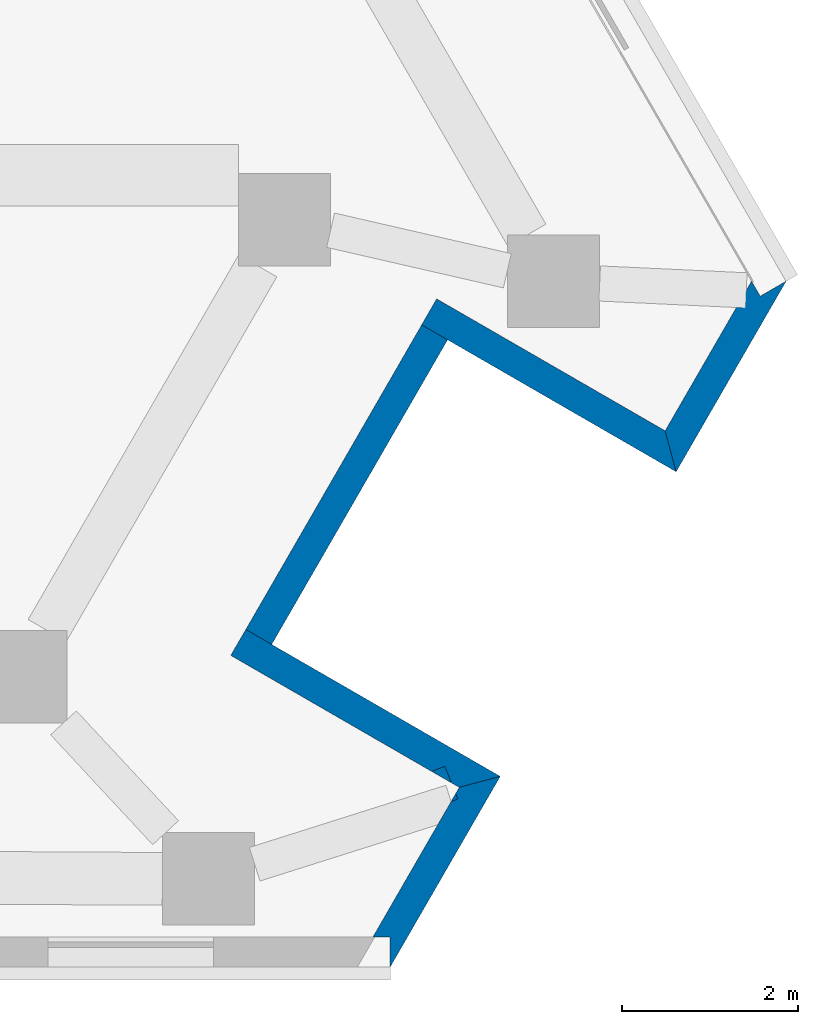
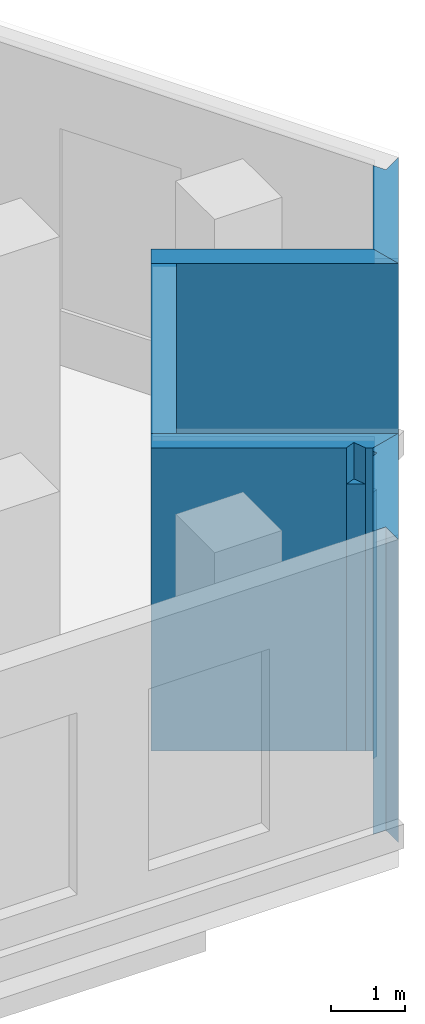
# One storey, part 7 of 10: 7 walls.
"""IFC4 building model written with IfcOpenShell, lengths in metres."""

from ifc_helpers import new_model, si_unit, direction, frame, frame_2d, origin, place, context, subcontext, project, spatial, polyline, rectangle, outline, extrude, material, layer, layer_set, type_object, element, save


model = new_model("IFC4")

# Units and contexts
model_context = context("Model", 3, precision=1e-05, world=origin(), true_north=direction((0.0, 1.0)))
body_context = subcontext(model_context, "Body", "Model", "MODEL_VIEW")
ifc_project = project(units=[si_unit("LENGTHUNIT", "METRE"), si_unit("AREAUNIT", "SQUARE_METRE"), si_unit("VOLUMEUNIT", "CUBIC_METRE"), si_unit("PLANEANGLEUNIT", "RADIAN"), si_unit("MASSUNIT", "GRAM", prefix="KILO")], contexts=[model_context])

# Site, building, storey
site_placement = place(None, origin())
site = spatial("IfcSite", under=ifc_project, at=site_placement, CompositionType="ELEMENT")
building_placement = place(site_placement, origin())
building = spatial("IfcBuilding", under=site, at=building_placement, Name="Fogline Exchange Tower", CompositionType="ELEMENT")
storey_placement = place(building_placement, frame((0.0, 0.0, 132.10009765625)))
storey = spatial("IfcBuildingStorey", under=building, at=storey_placement, Name="L29", CompositionType="ELEMENT", Elevation=132.10009765625)

# Walls
ifc_material = material(Name="Brick masonry", Category="masonry")
ifc_layer = layer(ifc_material, 0.340087890625)
ifc_layer_set = layer_set([ifc_layer], Name="FW3")
wall_type = type_object("IfcWallType", Name="FW3", PredefinedType="SOLIDWALL", material=ifc_layer_set)
wall_1_placement = place(storey_placement, origin())
element("IfcWall", 1, at=wall_1_placement, inside=storey, type_object=wall_type, Name="Brick wall L29 SE-c1", PredefinedType="SOLIDWALL", context=body_context, shape_type="SweptSolid", body=[
    extrude(outline(polyline([(26.136474609375, 1.968505859375), (26.16064453125, 1.90771484375), (26.083740234375, 1.877197265625), (26.136474609375, 1.968505859375)])), origin(), (0.0, 0.0, 1.0), 4.39990234375),
])
wall_2_placement = place(storey_placement, origin())
element("IfcWall", 2, at=wall_2_placement, inside=storey, type_object=wall_type, Name="Brick wall L29 SE-c1", PredefinedType="SOLIDWALL", context=body_context, shape_type="SweptSolid", body=[
    extrude(outline(polyline([(25.393310546875, -0.001220703125), (25.392578125, -0.0009765625), (25.392578125, 0.33935546875), (25.196044921875, 0.33935546875), (26.083740234375, 1.877197265625), (26.16064453125, 1.90771484375), (26.136474609375, 1.968505859375), (26.178466796875, 2.041015625), (26.64404296875, 2.166015625), (26.644287109375, 2.165771484375), (25.393310546875, -0.001220703125)])), origin(), (0.0, 0.0, 1.0), 5.0),
])
wall_3_placement = place(storey_placement, origin())
element("IfcWall", 3, at=wall_3_placement, inside=storey, type_object=wall_type, Name="Brick wall L29 SE-s1", PredefinedType="SOLIDWALL", context=body_context, shape_type="SweptSolid", body=[
    extrude(outline(polyline([(25.865234375, 2.220947265625), (26.013427734375, 2.279541015625), (26.08740234375, 2.0927734375), (25.865234375, 2.220947265625)])), origin(), (0.0, 0.0, 1.0), 4.39990234375),
])
wall_4_placement = place(storey_placement, origin())
element("IfcWall", 4, at=wall_4_placement, inside=storey, type_object=wall_type, Name="Brick wall L29 SE-s1", PredefinedType="SOLIDWALL", context=body_context, shape_type="SweptSolid", body=[
    extrude(outline(polyline([(23.75048828125, 3.8359375), (24.04541015625, 3.66552734375), (26.64453125, 2.1650390625), (26.64453125, 2.164794921875), (26.1787109375, 2.0400390625), (26.08740234375, 2.0927734375), (26.013427734375, 2.279541015625), (25.865234375, 2.220947265625), (23.579833984375, 3.540283203125), (23.75048828125, 3.8359375)])), origin(), (0.0, 0.0, 1.0), 5.0),
])
wall_5_placement = place(storey_placement, frame((23.89794921875, 3.75, 0.0), z_axis=(0.0, 0.0, 1.0), x_axis=(0.49999894854, 0.866026010844, 0.0)))
element("IfcWall", 5, at=wall_5_placement, inside=storey, type_object=wall_type, Name="Brick wall L29 SE-bk", PredefinedType="SOLIDWALL", context=body_context, shape_type="SweptSolid", body=[
    extrude(rectangle(XDim=4.0, YDim=0.340087890625, at=frame_2d((2.0, 0.0))), origin(), (0.0, 0.0, 1.0), 5.0),
])
wall_6_placement = place(storey_placement, origin())
element("IfcWall", 6, at=wall_6_placement, inside=storey, type_object=wall_type, Name="Brick wall L29 SE-s2", PredefinedType="SOLIDWALL", context=body_context, shape_type="SweptSolid", body=[
    extrude(outline(polyline([(28.643798828125, 5.628173828125), (26.044921875, 7.128662109375), (25.75, 7.298828125), (25.92041015625, 7.594482421875), (28.519287109375, 6.093994140625), (28.64404296875, 5.62841796875), (28.643798828125, 5.628173828125)])), origin(), (0.0, 0.0, 1.0), 5.0),
])
wall_7_placement = place(storey_placement, origin())
element("IfcWall", 7, at=wall_7_placement, inside=storey, type_object=wall_type, Name="Brick wall L29 SE-c2", PredefinedType="SOLIDWALL", context=body_context, shape_type="SweptSolid", body=[
    extrude(outline(polyline([(29.500732421875, 7.79541015625), (29.59912109375, 7.625), (29.893798828125, 7.79541015625), (29.894287109375, 7.794921875), (28.643310546875, 5.6279296875), (28.64306640625, 5.6279296875), (28.51806640625, 6.09375), (29.500732421875, 7.79541015625)])), origin(), (0.0, 0.0, 1.0), 5.0),
])

save(model, "model.ifc")
